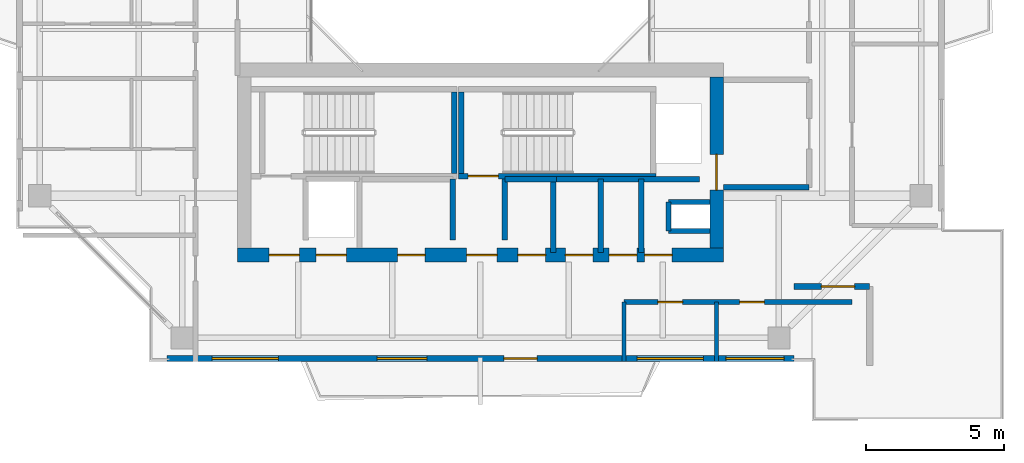
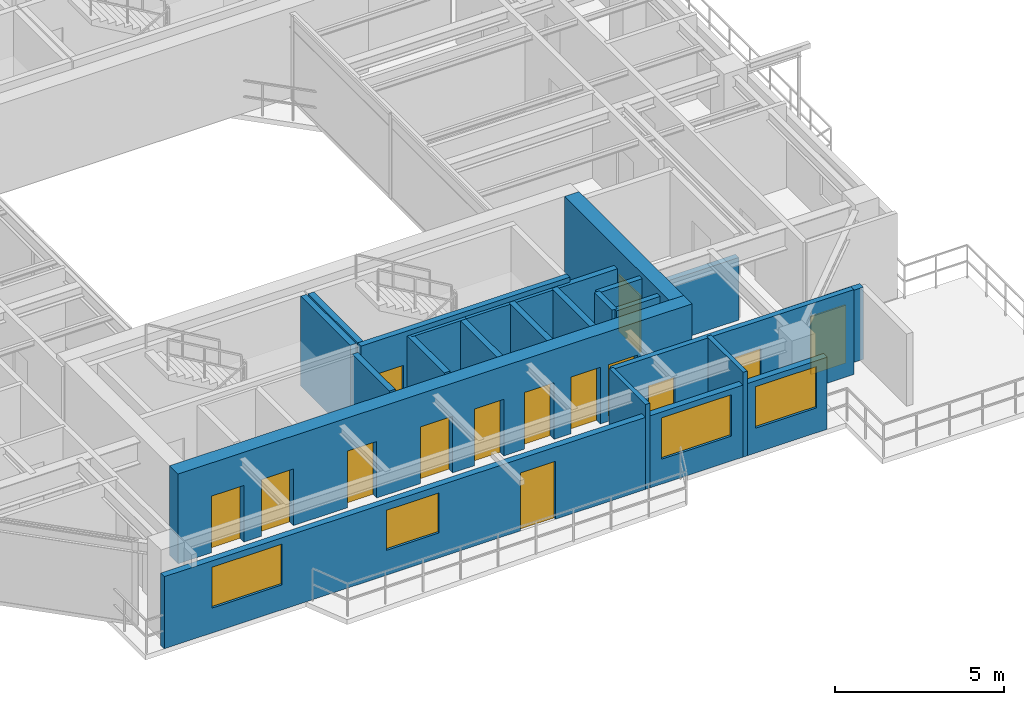
# One storey, part 10 of 15: 21 walls, 14 doors, 4 windows, 18 openings.
"""IFC4 building model written with IfcOpenShell, lengths in metres."""

from ifc_helpers import new_model, si_unit, direction, frame, frame_2d, origin, place, context, subcontext, project, spatial, rectangle, extrude, source, transform, mapped, material, layer, layer_set, type_object, element, fill, save


model = new_model("IFC4")

# Units and contexts
model_context = context("Model", 3, precision=1e-05, world=origin(), true_north=direction((0.0, 1.0)))
body_context = subcontext(model_context, "Body", "Model", "MODEL_VIEW")
ifc_project = project(units=[si_unit("LENGTHUNIT", "METRE"), si_unit("AREAUNIT", "SQUARE_METRE"), si_unit("VOLUMEUNIT", "CUBIC_METRE"), si_unit("PLANEANGLEUNIT", "RADIAN"), si_unit("MASSUNIT", "GRAM", prefix="KILO"), si_unit("THERMODYNAMICTEMPERATUREUNIT", "KELVIN"), si_unit("POWERUNIT", "WATT")], contexts=[model_context])

# Site, building, storey
site_placement = place(None, origin())
site = spatial("IfcSite", under=ifc_project, at=site_placement, CompositionType="ELEMENT")
building_placement = place(site_placement, origin())
building = spatial("IfcBuilding", under=site, at=building_placement, Name="Qiaomeng Ring Towers", CompositionType="ELEMENT")
storey_placement = place(building_placement, frame((0.0, 0.0, 213.25)))
storey = spatial("IfcBuildingStorey", under=building, at=storey_placement, Name="L62", CompositionType="ELEMENT", Elevation=213.25)

# Wall, openings, windows, door
ifc_material_1 = material(Name="Precast concrete C40", Category="concrete")
ifc_layer_1 = layer(ifc_material_1, 0.219970703125, Name="Precast concrete C40")
ifc_layer_set_1 = layer_set([ifc_layer_1], Name="Precast concrete C40")
wall_type_1 = type_object("IfcWallType", Name="ARC-WL-EW2", PredefinedType="STANDARD", material=ifc_layer_set_1)
wall_1_placement = place(storey_placement, frame((7.64990234375, 6.31005859375, 0.0), z_axis=(0.0, 0.0, 1.0), x_axis=(1.0, 0.0, 0.0)))
wall_1 = element("IfcWall", 1, at=wall_1_placement, inside=storey, type_object=wall_type_1, Name="L62 Tower 1 S Exterior Wall", PredefinedType="STANDARD", context=body_context, shape_type="SweptSolid", body=[
    extrude(rectangle(XDim=22.7001953125, YDim=0.219970703125, at=frame_2d((11.35009765625, 0.0))), origin(), (0.0, 0.0, 1.0), 2.610107421875),
])
opening_1_placement = place(wall_1_placement, frame((12.199951171875, 0.0, 0.0)))
opening_1 = element("IfcOpeningElement", 2, at=opening_1_placement, cuts=wall_1, Name="Opening BD1", PredefinedType="OPENING", context=body_context, shape_type="SweptSolid", body=[
    extrude(rectangle(XDim=1.199951171875, YDim=2.10009765625, at=frame_2d((0.60009765625, 1.050048828125))), frame((0.0, 0.119873046875, 0.0), z_axis=(0.0, -1.0, 0.0), x_axis=(1.0, 0.0, 0.0)), (0.0, 0.0, 1.0), 0.239990234375),
])
opening_2_placement = place(wall_1_placement, frame((1.636962890625, 0.0, 0.89990234375)))
opening_2 = element("IfcOpeningElement", 3, at=opening_2_placement, cuts=wall_1, Name="Opening WN6", PredefinedType="OPENING", context=body_context, shape_type="SweptSolid", body=[
    extrude(rectangle(XDim=2.39990234375, YDim=1.47998046875, at=frame_2d((1.199951171875, 0.739990234375))), frame((0.0, 0.119873046875, 0.0), z_axis=(0.0, -1.0, 0.0), x_axis=(1.0, 0.0, 0.0)), (0.0, 0.0, 1.0), 0.239990234375),
])
opening_3_placement = place(wall_1_placement, frame((7.612060546875, 0.0, 0.89990234375)))
opening_3 = element("IfcOpeningElement", 4, at=opening_3_placement, cuts=wall_1, Name="Opening WN1", PredefinedType="OPENING", context=body_context, shape_type="SweptSolid", body=[
    extrude(rectangle(XDim=1.800048828125, YDim=1.449951171875, at=frame_2d((0.89990234375, 0.72509765625))), frame((0.0, 0.119873046875, 0.0), z_axis=(0.0, -1.0, 0.0), x_axis=(1.0, 0.0, 0.0)), (0.0, 0.0, 1.0), 0.239990234375),
])
opening_4_placement = place(wall_1_placement, frame((20.237548828125, 0.0, 0.89990234375)))
opening_4 = element("IfcOpeningElement", 5, at=opening_4_placement, cuts=wall_1, Name="Opening WN4", PredefinedType="OPENING", context=body_context, shape_type="SweptSolid", body=[
    extrude(rectangle(XDim=2.10009765625, YDim=1.5, at=frame_2d((1.050048828125, 0.75))), frame((0.0, 0.119873046875, 0.0), z_axis=(0.0, -1.0, 0.0), x_axis=(1.0, 0.0, 0.0)), (0.0, 0.0, 1.0), 0.239990234375),
])
opening_5_placement = place(wall_1_placement, frame((17.02001953125, 0.0, 0.89990234375)))
opening_5 = element("IfcOpeningElement", 6, at=opening_5_placement, cuts=wall_1, Name="Opening WN6", PredefinedType="OPENING", context=body_context, shape_type="SweptSolid", body=[
    extrude(rectangle(XDim=2.39990234375, YDim=1.5, at=frame_2d((1.199951171875, 0.75))), frame((0.0, 0.119873046875, 0.0), z_axis=(0.0, -1.0, 0.0), x_axis=(1.0, 0.0, 0.0)), (0.0, 0.0, 1.0), 0.239990234375),
])
ifc_material_2 = material(Name="Low-E dark-grey laminated double glazing", Category="glass")
window_type_1 = type_object("IfcWindowType", Name="ARC-WN-4", PartitioningType="TRIPLE_PANEL_VERTICAL", PredefinedType="WINDOW", material=ifc_material_2)
shared_shape_1 = source(origin(), body_context, "Body", "SweptSolid", [
    extrude(rectangle(XDim=2.10009765625, YDim=1.5, at=frame_2d((1.050048828125, 0.75))), frame((0.0, 0.030029296875, 0.0), z_axis=(0.0, -1.0, 0.0), x_axis=(1.0, 0.0, 0.0)), (0.0, 0.0, 1.0), 0.06005859375),
])
window_1_placement = place(opening_4_placement, origin())
window_1 = element("IfcWindow", 7, at=window_1_placement, inside=storey, type_object=window_type_1, Name="L62 Exterior Window WN4", OverallHeight=1.5, OverallWidth=2.10009765625, PartitioningType="TRIPLE_PANEL_VERTICAL", PredefinedType="WINDOW", context=body_context, shape_type="MappedRepresentation", body=[
    mapped(shared_shape_1, transform((0.0, 0.0, 0.0), x_axis=(1.0, 0.0, 0.0), y_axis=(0.0, 1.0, 0.0), z_axis=(0.0, 0.0, 1.0), scale=1.0)),
])
fill(opening_4, window_1)
window_type_2 = type_object("IfcWindowType", Name="ARC-WN-1", PartitioningType="DOUBLE_PANEL_VERTICAL", PredefinedType="WINDOW", material=ifc_material_2)
shared_shape_2 = source(origin(), body_context, "Body", "SweptSolid", [
    extrude(rectangle(XDim=1.800048828125, YDim=1.449951171875, at=frame_2d((0.89990234375, 0.72509765625))), frame((0.0, 0.030029296875, 0.0), z_axis=(0.0, -1.0, 0.0), x_axis=(1.0, 0.0, 0.0)), (0.0, 0.0, 1.0), 0.06005859375),
])
window_2_placement = place(opening_3_placement, origin())
window_2 = element("IfcWindow", 8, at=window_2_placement, inside=storey, type_object=window_type_2, Name="L62 Exterior Window WN1", OverallHeight=1.449951171875, OverallWidth=1.800048828125, PartitioningType="DOUBLE_PANEL_VERTICAL", PredefinedType="WINDOW", context=body_context, shape_type="MappedRepresentation", body=[
    mapped(shared_shape_2, transform((0.0, 0.0, 0.0), x_axis=(1.0, 0.0, 0.0), y_axis=(0.0, 1.0, 0.0), z_axis=(0.0, 0.0, 1.0), scale=1.0)),
])
fill(opening_3, window_2)
window_type_3 = type_object("IfcWindowType", Name="ARC-WN-6", PartitioningType="TRIPLE_PANEL_VERTICAL", PredefinedType="WINDOW", material=ifc_material_2)
shared_shape_3 = source(origin(), body_context, "Body", "SweptSolid", [
    extrude(rectangle(XDim=2.39990234375, YDim=1.47998046875, at=frame_2d((1.199951171875, 0.739990234375))), frame((0.0, 0.030029296875, 0.0), z_axis=(0.0, -1.0, 0.0), x_axis=(1.0, 0.0, 0.0)), (0.0, 0.0, 1.0), 0.06005859375),
])
window_3_placement = place(opening_2_placement, origin())
window_3 = element("IfcWindow", 9, at=window_3_placement, inside=storey, type_object=window_type_3, Name="L62 Exterior Window WN6", OverallHeight=1.47998046875, OverallWidth=2.39990234375, PartitioningType="TRIPLE_PANEL_VERTICAL", PredefinedType="WINDOW", context=body_context, shape_type="MappedRepresentation", body=[
    mapped(shared_shape_3, transform((0.0, 0.0, 0.0), x_axis=(1.0, 0.0, 0.0), y_axis=(0.0, 1.0, 0.0), z_axis=(0.0, 0.0, 1.0), scale=1.0)),
])
fill(opening_2, window_3)
door_type_1 = type_object("IfcDoorType", Name="ARC-DR-BD1", OperationType="NOTDEFINED", PredefinedType="DOOR", material=ifc_material_2)
shared_shape_4 = source(origin(), body_context, "Body", "SweptSolid", [
    extrude(rectangle(XDim=1.199951171875, YDim=2.10009765625, at=frame_2d((0.60009765625, 1.050048828125))), frame((0.0, 0.02490234375, 0.0), z_axis=(0.0, -1.0, 0.0), x_axis=(1.0, 0.0, 0.0)), (0.0, 0.0, 1.0), 0.050048828125),
])
door_1_placement = place(opening_1_placement, frame((1.199951171875, 0.0, 0.0), z_axis=(0.0, 0.0, 1.0), x_axis=(-1.0, 0.0, 0.0)))
door_1 = element("IfcDoor", 10, at=door_1_placement, inside=storey, type_object=door_type_1, Name="L62 S Balcony Glazed Door", OperationType="SINGLE_SWING_LEFT", OverallHeight=2.10009765625, OverallWidth=1.199951171875, PredefinedType="DOOR", context=body_context, shape_type="MappedRepresentation", body=[
    mapped(shared_shape_4, transform((0.0, 0.0, 0.0), x_axis=(1.0, 0.0, 0.0), y_axis=(0.0, 1.0, 0.0), z_axis=(0.0, 0.0, 1.0), scale=1.0)),
])
fill(opening_1, door_1)
shared_shape_5 = source(origin(), body_context, "Body", "SweptSolid", [
    extrude(rectangle(XDim=2.39990234375, YDim=1.5, at=frame_2d((1.199951171875, 0.75))), frame((0.0, 0.030029296875, 0.0), z_axis=(0.0, -1.0, 0.0), x_axis=(1.0, 0.0, 0.0)), (0.0, 0.0, 1.0), 0.06005859375),
])
window_4_placement = place(opening_5_placement, origin())
window_4 = element("IfcWindow", 11, at=window_4_placement, inside=storey, type_object=window_type_3, Name="L62 Exterior Window WN6", OverallHeight=1.5, OverallWidth=2.39990234375, PartitioningType="TRIPLE_PANEL_VERTICAL", PredefinedType="WINDOW", context=body_context, shape_type="MappedRepresentation", body=[
    mapped(shared_shape_5, transform((0.0, 0.0, 0.0), x_axis=(1.0, 0.0, 0.0), y_axis=(0.0, 1.0, 0.0), z_axis=(0.0, 0.0, 1.0), scale=1.0)),
])
fill(opening_5, window_4)

# Wall, opening, door
wall_2_placement = place(storey_placement, frame((30.35009765625, 8.909912109375, 0.0), z_axis=(0.0, 0.0, 1.0), x_axis=(1.0, 0.0, 0.0)))
wall_2 = element("IfcWall", 12, at=wall_2_placement, inside=storey, type_object=wall_type_1, Name="L62 Spiral Terrace Wall SE", PredefinedType="STANDARD", context=body_context, shape_type="SweptSolid", body=[
    extrude(rectangle(XDim=2.739990234375, YDim=0.219970703125, at=frame_2d((1.3701171875, 0.0))), origin(), (0.0, 0.0, 1.0), 2.610107421875),
])
opening_6_placement = place(wall_2_placement, frame((0.989990234375, 0.0, 0.0)))
opening_6 = element("IfcOpeningElement", 13, at=opening_6_placement, cuts=wall_2, Name="Opening BD1", PredefinedType="OPENING", context=body_context, shape_type="SweptSolid", body=[
    extrude(rectangle(XDim=1.199951171875, YDim=2.10009765625, at=frame_2d((0.60009765625, 1.050048828125))), frame((0.0, 0.119873046875, 0.0), z_axis=(0.0, -1.0, 0.0), x_axis=(1.0, 0.0, 0.0)), (0.0, 0.0, 1.0), 0.239990234375),
])
door_2_placement = place(opening_6_placement, origin())
door_2 = element("IfcDoor", 14, at=door_2_placement, inside=storey, type_object=door_type_1, Name="L62 Spiral Sky Terrace Door SE", OperationType="SINGLE_SWING_LEFT", OverallHeight=2.10009765625, OverallWidth=1.199951171875, PredefinedType="DOOR", context=body_context, shape_type="MappedRepresentation", body=[
    mapped(shared_shape_4, transform((0.0, 0.0, 0.0), x_axis=(1.0, 0.0, 0.0), y_axis=(0.0, 1.0, 0.0), z_axis=(0.0, 0.0, 1.0), scale=1.0)),
])
fill(opening_6, door_2)

# Walls
ifc_material_3 = material(Name="Autoclaved aerated concrete block", Category="concrete")
ifc_layer_2 = layer(ifc_material_3, 0.199951171875, Name="Autoclaved aerated concrete block")
ifc_layer_set_2 = layer_set([ifc_layer_2], Name="Autoclaved aerated concrete block")
wall_type_2 = type_object("IfcWallType", Name="ARC-WL-PW1", PredefinedType="PARTITIONING", material=ifc_layer_set_2)
wall_3_placement = place(storey_placement, frame((27.800048828125, 12.5, 0.0), z_axis=(0.0, 0.0, 1.0), x_axis=(1.0, 0.0, 0.0)))
element("IfcWall", 15, at=wall_3_placement, inside=storey, type_object=wall_type_2, Name="L62 Interior Wall PW1", PredefinedType="PARTITIONING", context=body_context, shape_type="SweptSolid", body=[
    extrude(rectangle(XDim=3.099853515625, YDim=0.199951171875, at=frame_2d((1.5498046875, 0.0))), origin(), (0.0, 0.0, 1.0), 2.264892578125),
])
for number, where, z_axis, x_axis, name in (
    (16, (18.0, 10.60009765625, 0.0), (0.0, 0.0, 1.0), (0.0, 1.0, 0.0), "L62 Interior Wall PW1"),
    (17, (19.8798828125, 10.60009765625, 0.0), (0.0, 0.0, 1.0), (0.0, 1.0, 0.0), "L62 Interior Wall PW1"),
):
    element("IfcWall", number, at=place(storey_placement, frame(where, z_axis=z_axis, x_axis=x_axis)), inside=storey, type_object=wall_type_2, Name=name, PredefinedType="PARTITIONING", context=body_context, shape_type="SweptSolid", body=[
        extrude(rectangle(XDim=2.2099609375, YDim=0.199951171875, at=frame_2d((1.10498046875, 0.0))), origin(), (0.0, 0.0, 1.0), 3.070068359375),
    ])
wall_4_placement = place(storey_placement, frame((24.820068359375, 10.14990234375, 0.0), z_axis=(0.0, 0.0, 1.0), x_axis=(0.0, 1.0, 0.0)))
element("IfcWall", 18, at=wall_4_placement, inside=storey, type_object=wall_type_2, Name="L62 Interior Wall PW1", PredefinedType="PARTITIONING", context=body_context, shape_type="SweptSolid", body=[
    extrude(rectangle(XDim=2.650146484375, YDim=0.199951171875, at=frame_2d((1.3251953125, 0.0))), origin(), (0.0, 0.0, 1.0), 3.070068359375),
])
wall_5_placement = place(storey_placement, frame((19.8798828125, 12.800048828125, 0.0), z_axis=(0.0, 0.0, 1.0), x_axis=(1.0, 0.0, 0.0)))
element("IfcWall", 19, at=wall_5_placement, inside=storey, type_object=wall_type_2, Name="L62 Interior Wall PW1", PredefinedType="PARTITIONING", context=body_context, shape_type="SweptSolid", body=[
    extrude(rectangle(XDim=1.8701171875, YDim=0.199951171875, at=frame_2d((0.93505859375, 0.0))), origin(), (0.0, 0.0, 1.0), 3.070068359375),
])
for number, where, z_axis, x_axis, name in (
    (20, (21.639892578125, 10.14990234375, 0.0), (0.0, 0.0, 1.0), (0.0, 1.0, 0.0), "L62 Interior Wall PW1"),
    (21, (23.35009765625, 10.14990234375, 0.0), (0.0, 0.0, 1.0), (0.0, 1.0, 0.0), "L62 Interior Wall PW1"),
):
    element("IfcWall", number, at=place(storey_placement, frame(where, z_axis=z_axis, x_axis=x_axis)), inside=storey, type_object=wall_type_2, Name=name, PredefinedType="PARTITIONING", context=body_context, shape_type="SweptSolid", body=[
        extrude(rectangle(XDim=2.650146484375, YDim=0.199951171875, at=frame_2d((1.3251953125, 0.0))), origin(), (0.0, 0.0, 1.0), 3.070068359375),
    ])
wall_6_placement = place(storey_placement, frame((21.75, 12.800048828125, 0.0), z_axis=(0.0, 0.0, 1.0), x_axis=(1.0, 0.0, 0.0)))
element("IfcWall", 22, at=wall_6_placement, inside=storey, type_object=wall_type_2, Name="L62 Interior Wall PW1", PredefinedType="PARTITIONING", context=body_context, shape_type="SweptSolid", body=[
    extrude(rectangle(XDim=5.169921875, YDim=0.199951171875, at=frame_2d((2.5849609375, 0.0))), origin(), (0.0, 0.0, 1.0), 3.070068359375),
])

# Wall, openings, doors
ifc_layer_3 = layer(ifc_material_3, 0.179931640625, Name="Autoclaved aerated concrete block")
ifc_layer_set_3 = layer_set([ifc_layer_3], Name="Autoclaved aerated concrete block")
wall_type_3 = type_object("IfcWallType", Name="ARC-WL-PW2", PredefinedType="PARTITIONING", material=ifc_layer_set_3)
wall_7_placement = place(storey_placement, frame((24.199951171875, 8.35009765625, 0.0), z_axis=(0.0, 0.0, 1.0), x_axis=(1.0, 0.0, 0.0)))
wall_7 = element("IfcWall", 23, at=wall_7_placement, inside=storey, type_object=wall_type_3, Name="L62 Interior Wall PW2", PredefinedType="PARTITIONING", context=body_context, shape_type="SweptSolid", body=[
    extrude(rectangle(XDim=8.25, YDim=0.179931640625, at=frame_2d((4.125, 0.0))), origin(), (0.0, 0.0, 1.0), 3.070068359375),
])
opening_7_placement = place(wall_7_placement, frame((1.219970703125, 0.0, 0.0)))
opening_7 = element("IfcOpeningElement", 24, at=opening_7_placement, cuts=wall_7, Name="Opening ID1", PredefinedType="OPENING", context=body_context, shape_type="SweptSolid", body=[
    extrude(rectangle(XDim=0.89990234375, YDim=2.050048828125, at=frame_2d((0.449951171875, 1.02490234375))), frame((0.0, 0.099853515625, 0.0), z_axis=(0.0, -1.0, 0.0), x_axis=(1.0, 0.0, 0.0)), (0.0, 0.0, 1.0), 0.199951171875),
])
opening_8_placement = place(wall_7_placement, frame((4.177001953125, 0.0, 0.0)))
opening_8 = element("IfcOpeningElement", 25, at=opening_8_placement, cuts=wall_7, Name="Opening ID1", PredefinedType="OPENING", context=body_context, shape_type="SweptSolid", body=[
    extrude(rectangle(XDim=0.89990234375, YDim=2.050048828125, at=frame_2d((0.449951171875, 1.02490234375))), frame((0.0, 0.099853515625, 0.0), z_axis=(0.0, -1.0, 0.0), x_axis=(1.0, 0.0, 0.0)), (0.0, 0.0, 1.0), 0.199951171875),
])
ifc_material_4 = material(Name="Engineered oak timber", Category="wood")
door_type_2 = type_object("IfcDoorType", Name="ARC-DR-ID1", OperationType="NOTDEFINED", PredefinedType="DOOR", material=ifc_material_4)
shared_shape_6 = source(origin(), body_context, "Body", "SweptSolid", [
    extrude(rectangle(XDim=0.89990234375, YDim=2.050048828125, at=frame_2d((0.449951171875, 1.02490234375))), frame((0.0, 0.02490234375, 0.0), z_axis=(0.0, -1.0, 0.0), x_axis=(1.0, 0.0, 0.0)), (0.0, 0.0, 1.0), 0.050048828125),
])
door_3_placement = place(opening_7_placement, origin())
door_3 = element("IfcDoor", 26, at=door_3_placement, inside=storey, type_object=door_type_2, Name="L62 Door ID1", OperationType="SINGLE_SWING_LEFT", OverallHeight=2.050048828125, OverallWidth=0.89990234375, PredefinedType="DOOR", context=body_context, shape_type="MappedRepresentation", body=[
    mapped(shared_shape_6, transform((0.0, 0.0, 0.0), x_axis=(1.0, 0.0, 0.0), y_axis=(0.0, 1.0, 0.0), z_axis=(0.0, 0.0, 1.0), scale=1.0)),
])
fill(opening_7, door_3)
door_4_placement = place(opening_8_placement, origin())
door_4 = element("IfcDoor", 27, at=door_4_placement, inside=storey, type_object=door_type_2, Name="L62 Door ID1", OperationType="SINGLE_SWING_RIGHT", OverallHeight=2.050048828125, OverallWidth=0.89990234375, PredefinedType="DOOR", context=body_context, shape_type="MappedRepresentation", body=[
    mapped(shared_shape_6, transform((0.0, 0.0, 0.0), x_axis=(1.0, 0.0, 0.0), y_axis=(0.0, 1.0, 0.0), z_axis=(0.0, 0.0, 1.0), scale=1.0)),
])
fill(opening_8, door_4)

# Walls
ifc_material_5 = material(Name="Gypsum fireboard steel-stud partition", Category="steel")
ifc_layer_4 = layer(ifc_material_5, 0.14990234375, Name="Gypsum fireboard steel-stud partition")
ifc_layer_set_4 = layer_set([ifc_layer_4], Name="Gypsum fireboard steel-stud partition")
wall_type_4 = type_object("IfcWallType", Name="ARC-WL-PW3", PredefinedType="PARTITIONING", material=ifc_layer_set_4)
for number, where, z_axis, x_axis, name in (
    (28, (24.199951171875, 6.199951171875, 0.0), (0.0, 0.0, 1.0), (0.0, 1.0, 0.0), "L62 Interior Wall PW3"),
    (29, (27.5400390625, 6.199951171875, 0.0), (0.0, 0.0, 1.0), (0.0, 1.0, 0.0), "L62 Interior Wall PW3"),
):
    element("IfcWall", number, at=place(storey_placement, frame(where, z_axis=z_axis, x_axis=x_axis)), inside=storey, type_object=wall_type_4, Name=name, PredefinedType="PARTITIONING", context=body_context, shape_type="SweptSolid", body=[
        extrude(rectangle(XDim=2.150146484375, YDim=0.14990234375, at=frame_2d((1.0751953125, 0.0))), origin(), (0.0, 0.0, 1.0), 3.070068359375),
    ])
ifc_material_6 = material(Name="Concrete C40", Category="concrete")
ifc_layer_5 = layer(ifc_material_6, 0.199951171875, Name="Concrete C40")
ifc_layer_set_5 = layer_set([ifc_layer_5], Name="Concrete C40")
wall_type_5 = type_object("IfcWallType", Name="STR-WL-STSHAFT", PredefinedType="SHEAR", material=ifc_layer_set_5)
wall_8_placement = place(storey_placement, frame((25.800048828125, 10.919921875, 0.0), z_axis=(0.0, 0.0, 1.0), x_axis=(0.0, 1.0, 0.0)))
element("IfcWall", 30, at=wall_8_placement, inside=storey, type_object=wall_type_5, Name="L62 Riser RSR1 West Shaft Wall S", PredefinedType="SHEAR", context=body_context, shape_type="SweptSolid", body=[
    extrude(rectangle(XDim=1.06005859375, YDim=0.179931640625, at=frame_2d((0.530029296875, 0.0))), origin(), (0.0, 0.0, 1.0), 3.070068359375),
])
for number, where, z_axis, x_axis, name in (
    (31, (25.800048828125, 11.97998046875, 0.0), (0.0, 0.0, 1.0), (1.0, 0.0, 0.0), "L62 Riser RSR1 North Shaft Wall S"),
    (32, (25.800048828125, 10.919921875, 0.0), (0.0, 0.0, 1.0), (1.0, 0.0, 0.0), "L62 Riser RSR1 South Shaft Wall S"),
):
    element("IfcWall", number, at=place(storey_placement, frame(where, z_axis=z_axis, x_axis=x_axis)), inside=storey, type_object=wall_type_5, Name=name, PredefinedType="SHEAR", context=body_context, shape_type="SweptSolid", body=[
        extrude(rectangle(XDim=1.5, YDim=0.179931640625, at=frame_2d((0.75, 0.0))), origin(), (0.0, 0.0, 1.0), 3.070068359375),
    ])
wall_9_placement = place(storey_placement, frame((18.050048828125, 13.010009765625, 0.0), z_axis=(0.0, 0.0, 1.0), x_axis=(0.0, 1.0, 0.0)))
element("IfcWall", 33, at=wall_9_placement, inside=storey, type_object=wall_type_5, Name="L62 Stair ST3 East Shaft Shear Wall", PredefinedType="SHEAR", context=body_context, shape_type="SweptSolid", body=[
    extrude(rectangle(XDim=2.93994140625, YDim=0.199951171875, at=frame_2d((1.469970703125, 0.0))), origin(), (0.0, 0.0, 1.0), 3.25),
])

# Wall, opening, door
wall_10_placement = place(storey_placement, frame((18.199951171875, 12.909912109375, 0.0), z_axis=(0.0, 0.0, 1.0), x_axis=(1.0, 0.0, 0.0)))
wall_10 = element("IfcWall", 34, at=wall_10_placement, inside=storey, type_object=wall_type_5, Name="L62 Stair ST4 South Shaft Shear Wall", PredefinedType="SHEAR", context=body_context, shape_type="SweptSolid", body=[
    extrude(rectangle(XDim=7.150146484375, YDim=0.199951171875, at=frame_2d((3.5751953125, 0.0))), origin(), (0.0, 0.0, 1.0), 3.25),
])
opening_9_placement = place(wall_10_placement, frame((0.35009765625, 0.0, 0.0)))
opening_9 = element("IfcOpeningElement", 35, at=opening_9_placement, cuts=wall_10, Name="Opening FD3", PredefinedType="OPENING", context=body_context, shape_type="SweptSolid", body=[
    extrude(rectangle(XDim=1.10009765625, YDim=2.050048828125, at=frame_2d((0.550048828125, 1.02490234375))), frame((0.0, 0.10986328125, 0.0), z_axis=(0.0, -1.0, 0.0), x_axis=(1.0, 0.0, 0.0)), (0.0, 0.0, 1.0), 0.219970703125),
])
ifc_material_7 = material(Name="Galvanised steel", Category="steel")
door_type_3 = type_object("IfcDoorType", Name="ARC-DR-FD3", OperationType="NOTDEFINED", PredefinedType="DOOR", material=ifc_material_7)
shared_shape_7 = source(origin(), body_context, "Body", "SweptSolid", [
    extrude(rectangle(XDim=1.10009765625, YDim=2.050048828125, at=frame_2d((0.550048828125, 1.02490234375))), frame((0.0, 0.02490234375, 0.0), z_axis=(0.0, -1.0, 0.0), x_axis=(1.0, 0.0, 0.0)), (0.0, 0.0, 1.0), 0.050048828125),
])
door_5_placement = place(opening_9_placement, frame((1.10009765625, 0.0, 0.0), z_axis=(0.0, 0.0, 1.0), x_axis=(-1.0, 0.0, 0.0)))
door_5 = element("IfcDoor", 36, at=door_5_placement, inside=storey, type_object=door_type_3, Name="L62 Stair ST4 Exit Door", OperationType="SINGLE_SWING_RIGHT", OverallHeight=2.050048828125, OverallWidth=1.10009765625, PredefinedType="DOOR", context=body_context, shape_type="MappedRepresentation", body=[
    mapped(shared_shape_7, transform((0.0, 0.0, 0.0), x_axis=(1.0, 0.0, 0.0), y_axis=(0.0, 1.0, 0.0), z_axis=(0.0, 0.0, 1.0), scale=1.0)),
])
fill(opening_9, door_5)

# Wall
wall_11_placement = place(storey_placement, frame((18.300048828125, 13.010009765625, 0.0), z_axis=(0.0, 0.0, 1.0), x_axis=(0.0, 1.0, 0.0)))
element("IfcWall", 37, at=wall_11_placement, inside=storey, type_object=wall_type_5, Name="L62 Stair ST4 West Shaft Shear Wall", PredefinedType="SHEAR", context=body_context, shape_type="SweptSolid", body=[
    extrude(rectangle(XDim=2.93994140625, YDim=0.199951171875, at=frame_2d((1.469970703125, 0.0))), origin(), (0.0, 0.0, 1.0), 3.25),
])

# Wall, openings, doors
ifc_layer_6 = layer(ifc_material_6, 0.5, Name="Concrete C40")
ifc_layer_set_6 = layer_set([ifc_layer_6], Name="Concrete C40")
wall_type_6 = type_object("IfcWallType", Name="STR-WL-SW3", PredefinedType="SHEAR", material=ifc_layer_set_6)
wall_12_placement = place(storey_placement, frame((10.199951171875, 10.050048828125, 0.0), z_axis=(0.0, 0.0, 1.0), x_axis=(1.0, 0.0, 0.0)))
wall_12 = element("IfcWall", 38, at=wall_12_placement, inside=storey, type_object=wall_type_6, Name="L62 T1SC south core shear wall", PredefinedType="SHEAR", context=body_context, shape_type="SweptSolid", body=[
    extrude(rectangle(XDim=17.60009765625, YDim=0.5, at=frame_2d((8.800048828125, 0.0))), origin(), (0.0, 0.0, 1.0), 3.25),
])
opening_10_placement = place(wall_12_placement, frame((1.14990234375, 0.0, 0.0)))
opening_10 = element("IfcOpeningElement", 39, at=opening_10_placement, cuts=wall_12, Name="Opening FD3", PredefinedType="OPENING", context=body_context, shape_type="SweptSolid", body=[
    extrude(rectangle(XDim=1.10009765625, YDim=2.050048828125, at=frame_2d((0.550048828125, 1.02490234375))), frame((0.0, 0.260009765625, 0.0), z_axis=(0.0, -1.0, 0.0), x_axis=(1.0, 0.0, 0.0)), (0.0, 0.0, 1.0), 0.52001953125),
])
opening_11_placement = place(wall_12_placement, frame((8.300048828125, 0.0, 0.0)))
opening_11 = element("IfcOpeningElement", 40, at=opening_11_placement, cuts=wall_12, Name="Opening FD3", PredefinedType="OPENING", context=body_context, shape_type="SweptSolid", body=[
    extrude(rectangle(XDim=1.10009765625, YDim=2.050048828125, at=frame_2d((0.550048828125, 1.02490234375))), frame((0.0, 0.260009765625, 0.0), z_axis=(0.0, -1.0, 0.0), x_axis=(1.0, 0.0, 0.0)), (0.0, 0.0, 1.0), 0.52001953125),
])
opening_12_placement = place(wall_12_placement, frame((2.85009765625, 0.0, 0.0)))
opening_12 = element("IfcOpeningElement", 41, at=opening_12_placement, cuts=wall_12, Name="Opening LD1", PredefinedType="OPENING", context=body_context, shape_type="SweptSolid", body=[
    extrude(rectangle(XDim=1.10009765625, YDim=2.050048828125, at=frame_2d((0.550048828125, 1.02490234375))), frame((0.0, 0.260009765625, 0.0), z_axis=(0.0, -1.0, 0.0), x_axis=(1.0, 0.0, 0.0)), (0.0, 0.0, 1.0), 0.52001953125),
])
opening_13_placement = place(wall_12_placement, frame((5.800048828125, 0.0, 0.0)))
opening_13 = element("IfcOpeningElement", 42, at=opening_13_placement, cuts=wall_12, Name="Opening FD1", PredefinedType="OPENING", context=body_context, shape_type="SweptSolid", body=[
    extrude(rectangle(XDim=1.0, YDim=2.050048828125, at=frame_2d((0.5, 1.02490234375))), frame((0.0, 0.260009765625, 0.0), z_axis=(0.0, -1.0, 0.0), x_axis=(1.0, 0.0, 0.0)), (0.0, 0.0, 1.0), 0.52001953125),
])
opening_14_placement = place(wall_12_placement, frame((14.739990234375, 0.0, 0.0)))
opening_14 = element("IfcOpeningElement", 43, at=opening_14_placement, cuts=wall_12, Name="Opening FD1", PredefinedType="OPENING", context=body_context, shape_type="SweptSolid", body=[
    extrude(rectangle(XDim=1.0, YDim=2.050048828125, at=frame_2d((0.5, 1.02490234375))), frame((0.0, 0.260009765625, 0.0), z_axis=(0.0, -1.0, 0.0), x_axis=(1.0, 0.0, 0.0)), (0.0, 0.0, 1.0), 0.52001953125),
])
opening_15_placement = place(wall_12_placement, frame((10.155029296875, 0.0, 0.0)))
opening_15 = element("IfcOpeningElement", 44, at=opening_15_placement, cuts=wall_12, Name="Opening FD1", PredefinedType="OPENING", context=body_context, shape_type="SweptSolid", body=[
    extrude(rectangle(XDim=1.0, YDim=2.050048828125, at=frame_2d((0.5, 1.02490234375))), frame((0.0, 0.260009765625, 0.0), z_axis=(0.0, -1.0, 0.0), x_axis=(1.0, 0.0, 0.0)), (0.0, 0.0, 1.0), 0.52001953125),
])
opening_16_placement = place(wall_12_placement, frame((11.8701171875, 0.0, 0.0)))
opening_16 = element("IfcOpeningElement", 45, at=opening_16_placement, cuts=wall_12, Name="Opening FD1", PredefinedType="OPENING", context=body_context, shape_type="SweptSolid", body=[
    extrude(rectangle(XDim=1.0, YDim=2.050048828125, at=frame_2d((0.5, 1.02490234375))), frame((0.0, 0.260009765625, 0.0), z_axis=(0.0, -1.0, 0.0), x_axis=(1.0, 0.0, 0.0)), (0.0, 0.0, 1.0), 0.52001953125),
])
opening_17_placement = place(wall_12_placement, frame((13.4599609375, 0.0, 0.0)))
opening_17 = element("IfcOpeningElement", 46, at=opening_17_placement, cuts=wall_12, Name="Opening FD1", PredefinedType="OPENING", context=body_context, shape_type="SweptSolid", body=[
    extrude(rectangle(XDim=1.0, YDim=2.050048828125, at=frame_2d((0.5, 1.02490234375))), frame((0.0, 0.260009765625, 0.0), z_axis=(0.0, -1.0, 0.0), x_axis=(1.0, 0.0, 0.0)), (0.0, 0.0, 1.0), 0.52001953125),
])
door_6_placement = place(opening_10_placement, origin())
door_6 = element("IfcDoor", 47, at=door_6_placement, inside=storey, type_object=door_type_3, Name="L62 Stair ST3 Lobby Door", OperationType="SINGLE_SWING_LEFT", OverallHeight=2.050048828125, OverallWidth=1.10009765625, PredefinedType="DOOR", context=body_context, shape_type="MappedRepresentation", body=[
    mapped(shared_shape_7, transform((0.0, 0.0, 0.0), x_axis=(1.0, 0.0, 0.0), y_axis=(0.0, 1.0, 0.0), z_axis=(0.0, 0.0, 1.0), scale=1.0)),
])
fill(opening_10, door_6)
door_7_placement = place(opening_11_placement, origin())
door_7 = element("IfcDoor", 48, at=door_7_placement, inside=storey, type_object=door_type_3, Name="L62 Stair ST4 Lobby Door", OperationType="SINGLE_SWING_LEFT", OverallHeight=2.050048828125, OverallWidth=1.10009765625, PredefinedType="DOOR", context=body_context, shape_type="MappedRepresentation", body=[
    mapped(shared_shape_7, transform((0.0, 0.0, 0.0), x_axis=(1.0, 0.0, 0.0), y_axis=(0.0, 1.0, 0.0), z_axis=(0.0, 0.0, 1.0), scale=1.0)),
])
fill(opening_11, door_7)
ifc_material_8 = material(Name="Stainless steel 316", Category="steel")
door_type_4 = type_object("IfcDoorType", Name="ARC-DR-LD1", OperationType="NOTDEFINED", PredefinedType="DOOR", material=ifc_material_8)
door_8_placement = place(opening_12_placement, origin())
door_8 = element("IfcDoor", 49, at=door_8_placement, inside=storey, type_object=door_type_4, Name="L62 High-Zone Lift LP6 Landing Door", OperationType="SLIDING_TO_RIGHT", OverallHeight=2.050048828125, OverallWidth=1.10009765625, PredefinedType="DOOR", context=body_context, shape_type="MappedRepresentation", body=[
    mapped(shared_shape_7, transform((0.0, 0.0, 0.0), x_axis=(1.0, 0.0, 0.0), y_axis=(0.0, 1.0, 0.0), z_axis=(0.0, 0.0, 1.0), scale=1.0)),
])
fill(opening_12, door_8)
door_type_5 = type_object("IfcDoorType", Name="ARC-DR-FD1", OperationType="NOTDEFINED", PredefinedType="DOOR", material=ifc_material_7)
shared_shape_8 = source(origin(), body_context, "Body", "SweptSolid", [
    extrude(rectangle(XDim=1.0, YDim=2.050048828125, at=frame_2d((0.5, 1.02490234375))), frame((0.0, 0.02490234375, 0.0), z_axis=(0.0, -1.0, 0.0), x_axis=(1.0, 0.0, 0.0)), (0.0, 0.0, 1.0), 0.050048828125),
])
door_9_placement = place(opening_13_placement, origin())
door_9 = element("IfcDoor", 50, at=door_9_placement, inside=storey, type_object=door_type_5, Name="L62 High-Zone Freed Core Room Door", OperationType="SINGLE_SWING_RIGHT", OverallHeight=2.050048828125, OverallWidth=1.0, PredefinedType="DOOR", context=body_context, shape_type="MappedRepresentation", body=[
    mapped(shared_shape_8, transform((0.0, 0.0, 0.0), x_axis=(1.0, 0.0, 0.0), y_axis=(0.0, 1.0, 0.0), z_axis=(0.0, 0.0, 1.0), scale=1.0)),
])
fill(opening_13, door_9)
door_10_placement = place(opening_14_placement, origin())
door_10 = element("IfcDoor", 51, at=door_10_placement, inside=storey, type_object=door_type_5, Name="L62 South Electrical Riser Door", OperationType="SINGLE_SWING_RIGHT", OverallHeight=2.050048828125, OverallWidth=1.0, PredefinedType="DOOR", context=body_context, shape_type="MappedRepresentation", body=[
    mapped(shared_shape_8, transform((0.0, 0.0, 0.0), x_axis=(1.0, 0.0, 0.0), y_axis=(0.0, 1.0, 0.0), z_axis=(0.0, 0.0, 1.0), scale=1.0)),
])
fill(opening_14, door_10)
door_11_placement = place(opening_15_placement, origin())
door_11 = element("IfcDoor", 52, at=door_11_placement, inside=storey, type_object=door_type_5, Name="L62 South Break Lounge Door", OperationType="SINGLE_SWING_RIGHT", OverallHeight=2.050048828125, OverallWidth=1.0, PredefinedType="DOOR", context=body_context, shape_type="MappedRepresentation", body=[
    mapped(shared_shape_8, transform((0.0, 0.0, 0.0), x_axis=(1.0, 0.0, 0.0), y_axis=(0.0, 1.0, 0.0), z_axis=(0.0, 0.0, 1.0), scale=1.0)),
])
fill(opening_15, door_11)
door_12_placement = place(opening_16_placement, origin())
door_12 = element("IfcDoor", 53, at=door_12_placement, inside=storey, type_object=door_type_5, Name="L62 South Consultation Study Door", OperationType="SINGLE_SWING_LEFT", OverallHeight=2.050048828125, OverallWidth=1.0, PredefinedType="DOOR", context=body_context, shape_type="MappedRepresentation", body=[
    mapped(shared_shape_8, transform((0.0, 0.0, 0.0), x_axis=(1.0, 0.0, 0.0), y_axis=(0.0, 1.0, 0.0), z_axis=(0.0, 0.0, 1.0), scale=1.0)),
])
fill(opening_16, door_12)
door_13_placement = place(opening_17_placement, origin())
door_13 = element("IfcDoor", 54, at=door_13_placement, inside=storey, type_object=door_type_5, Name="L62 South Tea Pantry Door", OperationType="SINGLE_SWING_RIGHT", OverallHeight=2.050048828125, OverallWidth=1.0, PredefinedType="DOOR", context=body_context, shape_type="MappedRepresentation", body=[
    mapped(shared_shape_8, transform((0.0, 0.0, 0.0), x_axis=(1.0, 0.0, 0.0), y_axis=(0.0, 1.0, 0.0), z_axis=(0.0, 0.0, 1.0), scale=1.0)),
])
fill(opening_17, door_13)

# Wall, opening, door
wall_13_placement = place(storey_placement, frame((27.550048828125, 10.300048828125, 0.0), z_axis=(0.0, 0.0, 1.0), x_axis=(0.0, 1.0, 0.0)))
wall_13 = element("IfcWall", 55, at=wall_13_placement, inside=storey, type_object=wall_type_6, Name="L62 T1SC east core shear wall", PredefinedType="SHEAR", context=body_context, shape_type="SweptSolid", body=[
    extrude(rectangle(XDim=6.199951171875, YDim=0.5, at=frame_2d((3.10009765625, 0.0))), origin(), (0.0, 0.0, 1.0), 3.25),
])
opening_18_placement = place(wall_13_placement, frame((2.10009765625, 0.0, 0.0)))
opening_18 = element("IfcOpeningElement", 56, at=opening_18_placement, cuts=wall_13, Name="Opening LD2", PredefinedType="OPENING", context=body_context, shape_type="SweptSolid", body=[
    extrude(rectangle(XDim=1.300048828125, YDim=2.050048828125, at=frame_2d((0.64990234375, 1.02490234375))), frame((0.0, 0.260009765625, 0.0), z_axis=(0.0, -1.0, 0.0), x_axis=(1.0, 0.0, 0.0)), (0.0, 0.0, 1.0), 0.52001953125),
])
door_type_6 = type_object("IfcDoorType", Name="ARC-DR-LD2", OperationType="NOTDEFINED", PredefinedType="DOOR", material=ifc_material_8)
shared_shape_9 = source(origin(), body_context, "Body", "SweptSolid", [
    extrude(rectangle(XDim=1.300048828125, YDim=2.050048828125, at=frame_2d((0.64990234375, 1.02490234375))), frame((0.0, 0.02490234375, 0.0), z_axis=(0.0, -1.0, 0.0), x_axis=(1.0, 0.0, 0.0)), (0.0, 0.0, 1.0), 0.050048828125),
])
door_14_placement = place(opening_18_placement, origin())
door_14 = element("IfcDoor", 57, at=door_14_placement, inside=storey, type_object=door_type_6, Name="L62 Firefighting Lift FL2 Landing Door", OperationType="SLIDING_TO_RIGHT", OverallHeight=2.050048828125, OverallWidth=1.300048828125, PredefinedType="DOOR", context=body_context, shape_type="MappedRepresentation", body=[
    mapped(shared_shape_9, transform((0.0, 0.0, 0.0), x_axis=(1.0, 0.0, 0.0), y_axis=(0.0, 1.0, 0.0), z_axis=(0.0, 0.0, 1.0), scale=1.0)),
])
fill(opening_18, door_14)

save(model, "model.ifc")
